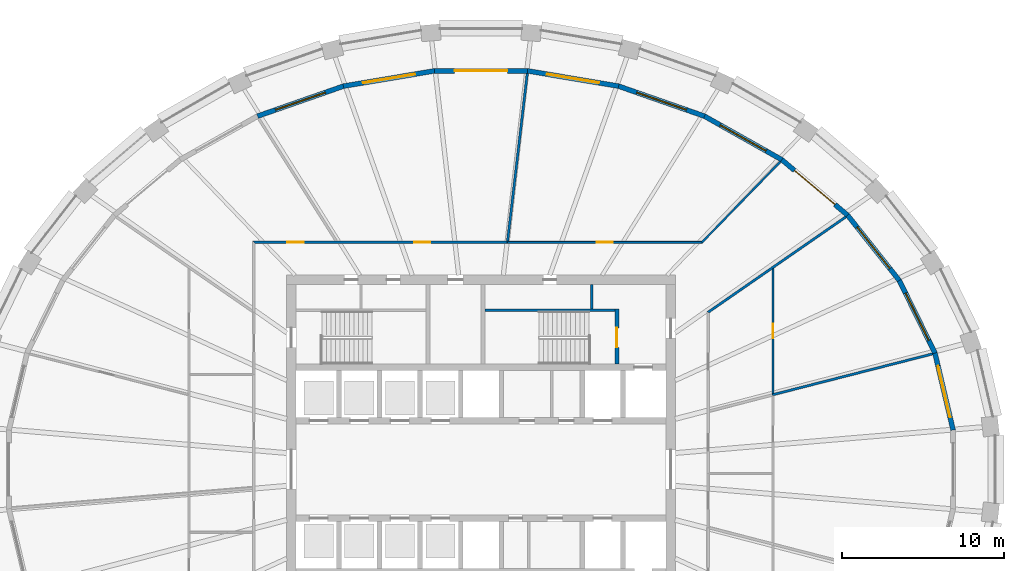
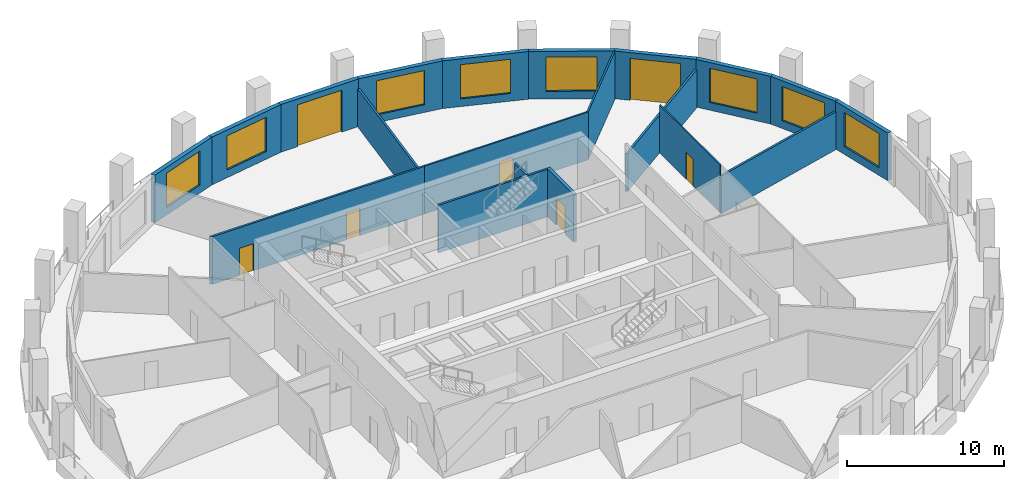
# One storey, part 7 of 11: 20 walls, 8 windows, 7 doors, 15 openings.
"""IFC4 building model written with IfcOpenShell, lengths in metres."""

from ifc_helpers import new_model, si_unit, direction, frame, frame_2d, origin, place, context, subcontext, project, spatial, polyline, rectangle, outline, extrude, material, layer, layer_set, type_object, element, fill, save


model = new_model("IFC4")

# Units and contexts
model_context = context("Model", 3, precision=1e-05, world=origin(), true_north=direction((0.0, 1.0)))
body_context = subcontext(model_context, "Body", "Model", "MODEL_VIEW")
ifc_project = project(units=[si_unit("LENGTHUNIT", "METRE"), si_unit("AREAUNIT", "SQUARE_METRE"), si_unit("VOLUMEUNIT", "CUBIC_METRE"), si_unit("PLANEANGLEUNIT", "RADIAN"), si_unit("MASSUNIT", "GRAM", prefix="KILO")], contexts=[model_context])

# Site, building, storey
site_placement = place(None, origin())
site = spatial("IfcSite", under=ifc_project, at=site_placement, CompositionType="ELEMENT")
building_placement = place(site_placement, origin())
building = spatial("IfcBuilding", under=site, at=building_placement, Name="Halqa Exchange Tower", CompositionType="ELEMENT")
storey_placement = place(building_placement, frame((0.0, 0.0, 222.89990234375)))
storey = spatial("IfcBuildingStorey", under=building, at=storey_placement, Name="L51", CompositionType="ELEMENT", Elevation=222.89990234375)

# Wall, openings, doors
ifc_material_1 = material(Name="Fire-rated gypsum board")
ifc_layer_1 = layer(ifc_material_1, 0.14990234375)
ifc_layer_set_1 = layer_set([ifc_layer_1], Name="Fire-rated gypsum board")
wall_type_1 = type_object("IfcWallType", Name="Fire partition EI 60 150", PredefinedType="PARTITIONING", material=ifc_layer_set_1)
wall_1_placement = place(storey_placement, frame((-14.074951171875, 14.0, 0.0), z_axis=(0.0, 0.0, 1.0), x_axis=(1.0, 0.0, 0.0)))
wall_1 = element("IfcWall", 1, at=wall_1_placement, inside=storey, type_object=wall_type_1, Name="L51-PWL-016", PredefinedType="PARTITIONING", context=body_context, shape_type="SweptSolid", body=[
    extrude(outline(polyline([(15.704833984375, 0.074951171875), (13.74169921875, 0.074951171875), (11.778564453125, 0.074951171875), (9.8154296875, 0.074951171875), (7.8525390625, 0.074951171875), (5.889404296875, 0.074951171875), (3.92626953125, 0.074951171875), (1.963134765625, 0.074951171875), (0.0, 0.074951171875), (0.14990234375, -0.074951171875), (2.09423828125, -0.074951171875), (4.03857421875, -0.074951171875), (5.98291015625, -0.074951171875), (7.92724609375, -0.074951171875), (9.871826171875, -0.074951171875), (11.816162109375, -0.074951171875), (13.760498046875, -0.074951171875), (15.704833984375, -0.074951171875), (15.704833984375, 0.074951171875)])), origin(), (0.0, 0.0, 1.0), 3.7001953125),
])
opening_1_placement = place(wall_1_placement, frame((9.955078125, 0.0, 0.0)))
opening_1 = element("IfcOpeningElement", 2, at=opening_1_placement, cuts=wall_1, Name="Opening 15-02", PredefinedType="OPENING", context=body_context, shape_type="SweptSolid", body=[
    extrude(rectangle(XDim=1.0, YDim=2.10009765625, at=frame_2d((0.5, 1.050048828125))), frame((0.0, 0.0869140625, 0.0), z_axis=(0.0, -1.0, 0.0), x_axis=(1.0, 0.0, 0.0)), (0.0, 0.0, 1.0), 0.173828125),
])
opening_2_placement = place(wall_1_placement, frame((2.139892578125, 0.0, 0.0)))
opening_2 = element("IfcOpeningElement", 3, at=opening_2_placement, cuts=wall_1, Name="Opening 15-03", PredefinedType="OPENING", context=body_context, shape_type="SweptSolid", body=[
    extrude(rectangle(XDim=1.0, YDim=2.10009765625, at=frame_2d((0.5, 1.050048828125))), frame((0.0, 0.0869140625, 0.0), z_axis=(0.0, -1.0, 0.0), x_axis=(1.0, 0.0, 0.0)), (0.0, 0.0, 1.0), 0.173828125),
])
ifc_material_2 = material(Name="Steel fire door leaf", Category="steel")
door_type_1 = type_object("IfcDoorType", Name="Fire door FD30S 1000 x 2100", OperationType="SINGLE_SWING_LEFT", PredefinedType="DOOR", material=ifc_material_2)
door_1_placement = place(opening_1_placement, origin())
door_1 = element("IfcDoor", 4, at=door_1_placement, inside=storey, type_object=door_type_1, Name="L51-IDR-002", OperationType="SINGLE_SWING_RIGHT", OverallHeight=2.10009765625, OverallWidth=1.0, PredefinedType="DOOR", context=body_context, shape_type="SweptSolid", body=[
    extrude(rectangle(XDim=1.0, YDim=2.10009765625, at=frame_2d((0.5, 1.050048828125))), frame((0.0, 0.02490234375, 0.0), z_axis=(0.0, -1.0, 0.0), x_axis=(1.0, 0.0, 0.0)), (0.0, 0.0, 1.0), 0.050048828125),
])
fill(opening_1, door_1)
door_2_placement = place(opening_2_placement, origin())
door_2 = element("IfcDoor", 5, at=door_2_placement, inside=storey, type_object=door_type_1, Name="L51-IDR-003", OperationType="SINGLE_SWING_LEFT", OverallHeight=2.10009765625, OverallWidth=1.0, PredefinedType="DOOR", context=body_context, shape_type="SweptSolid", body=[
    extrude(rectangle(XDim=1.0, YDim=2.10009765625, at=frame_2d((0.5, 1.050048828125))), frame((0.0, 0.02490234375, 0.0), z_axis=(0.0, -1.0, 0.0), x_axis=(1.0, 0.0, 0.0)), (0.0, 0.0, 1.0), 0.050048828125),
])
fill(opening_2, door_2)

# Walls
wall_2_placement = place(storey_placement, frame((1.6376953125, 14.06640625, 0.0), z_axis=(0.0, 0.0, 1.0), x_axis=(0.116747450487, 0.993161634783, 0.0)))
element("IfcWall", 6, at=wall_2_placement, inside=storey, type_object=wall_type_1, Name="L51-PWL-020", PredefinedType="PARTITIONING", context=body_context, shape_type="SweptSolid", body=[
    extrude(outline(polyline([(10.42041015625, -0.074951171875), (10.42041015625, 0.038818359375), (10.416259765625, 0.074951171875), (8.68017578125, 0.074951171875), (6.944091796875, 0.074951171875), (5.2080078125, 0.074951171875), (3.47216796875, 0.074951171875), (1.736083984375, 0.074951171875), (0.0, 0.074951171875), (0.0, 0.07373046875), (0.007568359375, 0.008544921875), (0.0, 0.0078125), (0.0, -0.054931640625), (0.00244140625, -0.074951171875), (1.73876953125, -0.074951171875), (3.47509765625, -0.074951171875), (5.21142578125, -0.074951171875), (6.94775390625, -0.074951171875), (8.68408203125, -0.074951171875), (10.42041015625, -0.074951171875)])), origin(), (0.0, 0.0, 1.0), 2.947021484375),
])
wall_3_placement = place(storey_placement, frame((13.9677734375, 9.66748046875, 0.0), z_axis=(0.0, 0.0, 1.0), x_axis=(0.822219313141, 0.56917080134, 0.0)))
element("IfcWall", 7, at=wall_3_placement, inside=storey, type_object=wall_type_1, Name="L51-PWL-033", PredefinedType="PARTITIONING", context=body_context, shape_type="SweptSolid", body=[
    extrude(outline(polyline([(0.07861328125, -0.074951171875), (1.649658203125, -0.074951171875), (3.220458984375, -0.074951171875), (4.791259765625, -0.074951171875), (4.79248046875, -0.0732421875), (4.794921875, -0.074951171875), (6.653076171875, -0.074951171875), (8.511474609375, -0.074951171875), (10.36962890625, -0.074951171875), (10.36962890625, -0.066162109375), (10.365234375, -0.000244140625), (10.344970703125, 0.074951171875), (8.620849609375, 0.074951171875), (6.896728515625, 0.074951171875), (5.172607421875, 0.074951171875), (3.448486328125, 0.074951171875), (1.724365234375, 0.074951171875), (0.000244140625, 0.074951171875), (0.039306640625, 0.000244140625), (0.07861328125, -0.074951171875)])), origin(), (0.0, 0.0, 1.0), 2.947021484375),
])
wall_4_placement = place(storey_placement, frame((17.95166015625, 4.59765625, 0.0), z_axis=(0.0, 0.0, 1.0), x_axis=(0.968895869382, 0.247468774381, 0.0)))
element("IfcWall", 8, at=wall_4_placement, inside=storey, type_object=wall_type_1, Name="L51-PWL-037", PredefinedType="PARTITIONING", context=body_context, shape_type="SweptSolid", body=[
    extrude(outline(polyline([(10.205810546875, -0.074951171875), (10.205810546875, 0.0078125), (10.191650390625, 0.074951171875), (8.51318359375, 0.074951171875), (6.834716796875, 0.074951171875), (5.15625, 0.074951171875), (3.477783203125, 0.074951171875), (1.799072265625, 0.074951171875), (0.12060546875, 0.074951171875), (0.12060546875, 0.07470703125), (0.1201171875, 0.074951171875), (0.0, 0.074951171875), (0.0, -0.054443359375), (0.08056640625, -0.074951171875), (1.768310546875, -0.074951171875), (3.455810546875, -0.074951171875), (5.143310546875, -0.074951171875), (6.830810546875, -0.074951171875), (8.518310546875, -0.074951171875), (10.205810546875, -0.074951171875)])), origin(), (0.0, 0.0, 1.0), 2.93017578125),
])

# Wall, opening, door
ifc_material_3 = material(Name="Fire-rated glazing", Category="glass")
ifc_layer_2 = layer(ifc_material_3, 0.1201171875)
ifc_layer_set_2 = layer_set([ifc_layer_2], Name="Fire-rated glazing")
wall_type_2 = type_object("IfcWallType", Name="Glazed fire partition EI 60 120", PredefinedType="PARTITIONING", material=ifc_layer_set_2)
wall_5_placement = place(storey_placement, frame((1.6298828125, 14.0, 0.0), z_axis=(0.0, 0.0, 1.0), x_axis=(1.0, 0.0, 0.0)))
wall_5 = element("IfcWall", 9, at=wall_5_placement, inside=storey, type_object=wall_type_2, Name="L51-PWL-021", PredefinedType="PARTITIONING", context=body_context, shape_type="SweptSolid", body=[
    extrude(outline(polyline([(12.015380859375, -0.06005859375), (12.015380859375, -0.059814453125), (11.96484375, 0.06005859375), (9.970703125, 0.06005859375), (7.9765625, 0.06005859375), (5.982421875, 0.06005859375), (3.98828125, 0.06005859375), (1.994140625, 0.06005859375), (0.0, 0.06005859375), (0.0, -0.06005859375), (1.716552734375, -0.06005859375), (3.432861328125, -0.06005859375), (5.1494140625, -0.06005859375), (6.865966796875, -0.06005859375), (8.58251953125, -0.06005859375), (10.298828125, -0.06005859375), (12.015380859375, -0.06005859375)])), origin(), (0.0, 0.0, 1.0), 3.7001953125),
])
opening_3_placement = place(wall_5_placement, frame((5.4951171875, 0.0, 0.0)))
opening_3 = element("IfcOpeningElement", 10, at=opening_3_placement, cuts=wall_5, Name="Opening 15-01", PredefinedType="OPENING", context=body_context, shape_type="SweptSolid", body=[
    extrude(rectangle(XDim=1.0, YDim=2.10009765625, at=frame_2d((0.5, 1.050048828125))), frame((0.0, 0.072021484375, 0.0), z_axis=(0.0, -1.0, 0.0), x_axis=(1.0, 0.0, 0.0)), (0.0, 0.0, 1.0), 0.14404296875),
])
door_3_placement = place(opening_3_placement, origin())
door_3 = element("IfcDoor", 11, at=door_3_placement, inside=storey, type_object=door_type_1, Name="L51-IDR-001", OperationType="SINGLE_SWING_RIGHT", OverallHeight=2.10009765625, OverallWidth=1.0, PredefinedType="DOOR", context=body_context, shape_type="SweptSolid", body=[
    extrude(rectangle(XDim=1.0, YDim=2.10009765625, at=frame_2d((0.5, 1.050048828125))), frame((0.0, 0.02490234375, 0.0), z_axis=(0.0, -1.0, 0.0), x_axis=(1.0, 0.0, 0.0)), (0.0, 0.0, 1.0), 0.050048828125),
])
fill(opening_3, door_3)

# Wall
wall_6_placement = place(storey_placement, frame((13.602294921875, 13.981689453125, 0.0), z_axis=(0.0, 0.0, 1.0), x_axis=(0.697346685185, 0.716733981797, 0.0)))
element("IfcWall", 12, at=wall_6_placement, inside=storey, type_object=wall_type_2, Name="L51-PWL-025", PredefinedType="PARTITIONING", context=body_context, shape_type="SweptSolid", body=[
    extrude(outline(polyline([(6.9638671875, -0.06005859375), (6.9638671875, -0.0576171875), (6.9599609375, -0.00244140625), (6.943359375, 0.06005859375), (5.22021484375, 0.06005859375), (3.4970703125, 0.06005859375), (1.77392578125, 0.06005859375), (0.05078125, 0.06005859375), (0.05078125, 0.06005859375), (0.025390625, 0.0), (0.0, -0.06005859375), (1.740966796875, -0.06005859375), (3.48193359375, -0.06005859375), (5.222900390625, -0.06005859375), (6.9638671875, -0.06005859375)])), origin(), (0.0, 0.0, 1.0), 3.7001953125),
])

# Wall, opening, door
ifc_material_4 = material(Name="Gypsum board")
ifc_layer_3 = layer(ifc_material_4, 0.10009765625)
ifc_layer_set_3 = layer_set([ifc_layer_3], Name="Gypsum board")
wall_type_3 = type_object("IfcWallType", Name="Partition 100 gypsum", PredefinedType="PARTITIONING", material=ifc_layer_set_3)
wall_7_placement = place(storey_placement, frame((18.0, 12.402099609375, 0.0), z_axis=(0.0, 0.0, 1.0), x_axis=(0.0, -1.0, 0.0)))
wall_7 = element("IfcWall", 13, at=wall_7_placement, inside=storey, type_object=wall_type_3, Name="L51-PWL-038", PredefinedType="PARTITIONING", context=body_context, shape_type="SweptSolid", body=[
    extrude(outline(polyline([(7.72705078125, -0.050048828125), (7.72705078125, -0.04833984375), (7.701904296875, 0.050048828125), (5.7763671875, 0.050048828125), (3.850830078125, 0.050048828125), (1.925537109375, 0.050048828125), (0.0, 0.050048828125), (0.0, 0.0498046875), (0.069091796875, -0.050048828125), (1.983642578125, -0.050048828125), (3.89794921875, -0.050048828125), (5.8125, -0.050048828125), (7.72705078125, -0.050048828125)])), origin(), (0.0, 0.0, 1.0), 3.7001953125),
])
opening_4_placement = place(wall_7_placement, frame((3.4169921875, 0.0, 0.0)))
opening_4 = element("IfcOpeningElement", 14, at=opening_4_placement, cuts=wall_7, Name="Opening 15-22", PredefinedType="OPENING", context=body_context, shape_type="SweptSolid", body=[
    extrude(rectangle(XDim=0.89990234375, YDim=2.10009765625, at=frame_2d((0.449951171875, 1.050048828125))), frame((0.0, 0.06201171875, 0.0), z_axis=(0.0, -1.0, 0.0), x_axis=(1.0, 0.0, 0.0)), (0.0, 0.0, 1.0), 0.1240234375),
])
ifc_material_5 = material(Name="Timber door leaf", Category="wood")
door_type_2 = type_object("IfcDoorType", Name="Door 900 x 2100", OperationType="SINGLE_SWING_LEFT", PredefinedType="DOOR", material=ifc_material_5)
door_4_placement = place(opening_4_placement, frame((0.89990234375, 0.0, 0.0), z_axis=(0.0, 0.0, 1.0), x_axis=(-1.0, 0.0, 0.0)))
door_4 = element("IfcDoor", 15, at=door_4_placement, inside=storey, type_object=door_type_2, Name="L51-IDR-022", OperationType="SINGLE_SWING_LEFT", OverallHeight=2.10009765625, OverallWidth=0.89990234375, PredefinedType="DOOR", context=body_context, shape_type="SweptSolid", body=[
    extrude(rectangle(XDim=0.89990234375, YDim=2.10009765625, at=frame_2d((0.449951171875, 1.050048828125))), frame((0.0, 0.02490234375, 0.0), z_axis=(0.0, -1.0, 0.0), x_axis=(1.0, 0.0, 0.0)), (0.0, 0.0, 1.0), 0.050048828125),
])
fill(opening_4, door_4)

# Walls
ifc_layer_4 = layer(ifc_material_4, 0.14990234375)
ifc_layer_set_4 = layer_set([ifc_layer_4], Name="Gypsum board")
wall_type_4 = type_object("IfcWallType", Name="Penthouse riser wall 150 gypsum", PredefinedType="PARTITIONING", material=ifc_layer_set_4)
wall_8_placement = place(storey_placement, frame((6.824951171875, 9.89990234375, 0.0), z_axis=(0.0, 0.0, 1.0), x_axis=(0.0, 1.0, 0.0)))
element("IfcWall", 16, at=wall_8_placement, inside=storey, type_object=wall_type_4, Name="Firefighting lobby west wall N", PredefinedType="PARTITIONING", context=body_context, shape_type="SweptSolid", body=[
    extrude(rectangle(XDim=1.5, YDim=0.14990234375, at=frame_2d((0.75, 0.0))), origin(), (0.0, 0.0, 1.0), 3.7001953125),
])
ifc_material_6 = material(Name="Concrete C30/37", Category="concrete")
ifc_layer_5 = layer(ifc_material_6, 0.14990234375)
ifc_layer_set_5 = layer_set([ifc_layer_5], Name="Concrete C30/37")
wall_type_5 = type_object("IfcWallType", Name="RC stair wall 150 C30/37", PredefinedType="SHEAR", material=ifc_layer_set_5)
wall_9_placement = place(storey_placement, frame((0.25, 9.824951171875, 0.0), z_axis=(0.0, 0.0, 1.0), x_axis=(1.0, 0.0, 0.0)))
element("IfcWall", 17, at=wall_9_placement, inside=storey, type_object=wall_type_5, Name="Stair ST2 north wall N", PredefinedType="SHEAR", context=body_context, shape_type="SweptSolid", body=[
    extrude(rectangle(XDim=8.0, YDim=0.14990234375, at=frame_2d((4.0, 0.0))), origin(), (0.0, 0.0, 1.0), 3.7001953125),
])

# Wall, opening, door
ifc_layer_6 = layer(ifc_material_6, 0.25)
ifc_layer_set_6 = layer_set([ifc_layer_6], Name="Concrete C30/37")
wall_type_6 = type_object("IfcWallType", Name="RC stair wall 250 C30/37", PredefinedType="SHEAR", material=ifc_layer_set_6)
wall_10_placement = place(storey_placement, frame((8.375, 6.5, 0.0), z_axis=(0.0, 0.0, 1.0), x_axis=(0.0, 1.0, 0.0)))
wall_10 = element("IfcWall", 18, at=wall_10_placement, inside=storey, type_object=wall_type_6, Name="Stair ST2 east wall N", PredefinedType="SHEAR", context=body_context, shape_type="SweptSolid", body=[
    extrude(rectangle(XDim=3.39990234375, YDim=0.25, at=frame_2d((1.699951171875, 0.0))), origin(), (0.0, 0.0, 1.0), 3.7001953125),
])
opening_5_placement = place(wall_10_placement, frame((1.02490234375, 0.0, 0.0)))
opening_5 = element("IfcOpeningElement", 19, at=opening_5_placement, cuts=wall_10, Name="Opening T15-C16", PredefinedType="OPENING", context=body_context, shape_type="SweptSolid", body=[
    extrude(rectangle(XDim=1.199951171875, YDim=2.10009765625, at=frame_2d((0.60009765625, 1.050048828125))), frame((0.0, 0.136962890625, 0.0), z_axis=(0.0, -1.0, 0.0), x_axis=(1.0, 0.0, 0.0)), (0.0, 0.0, 1.0), 0.27392578125),
])
door_type_3 = type_object("IfcDoorType", Name="Stair door FD90 1200 x 2100", OperationType="SINGLE_SWING_LEFT", PredefinedType="DOOR", material=ifc_material_2)
door_5_placement = place(opening_5_placement, origin())
door_5 = element("IfcDoor", 20, at=door_5_placement, inside=storey, type_object=door_type_3, Name="Stair door ST2", OperationType="SINGLE_SWING_LEFT", OverallHeight=2.10009765625, OverallWidth=1.199951171875, PredefinedType="DOOR", context=body_context, shape_type="SweptSolid", body=[
    extrude(rectangle(XDim=1.199951171875, YDim=2.10009765625, at=frame_2d((0.60009765625, 1.050048828125))), frame((0.0, 0.02490234375, 0.0), z_axis=(0.0, -1.0, 0.0), x_axis=(1.0, 0.0, 0.0)), (0.0, 0.0, 1.0), 0.050048828125),
])
fill(opening_5, door_5)

# Wall, opening, window
ifc_material_7 = material(Name="Limestone cladding", Category="masonry")
ifc_layer_7 = layer(ifc_material_7, 0.0400390625)
ifc_material_8 = material(Name="Ventilated cavity")
ifc_layer_8 = layer(ifc_material_8, 0.030029296875, ventilated=True)
ifc_material_9 = material(Name="Mineral wool insulation")
ifc_layer_9 = layer(ifc_material_9, 0.10009765625)
ifc_layer_10 = layer(ifc_material_6, 0.10009765625)
ifc_material_10 = material(Name="Internal plaster")
ifc_layer_11 = layer(ifc_material_10, 0.030029296875)
ifc_layer_set_7 = layer_set([ifc_layer_7, ifc_layer_8, ifc_layer_9, ifc_layer_10, ifc_layer_11], Name="Stone-faced insulated wall 300")
wall_type_7 = type_object("IfcWallType", Name="Stone-faced insulated wall 300", PredefinedType="STANDARD", material=ifc_layer_set_7)
wall_11_placement = place(storey_placement, frame((29.1044921875, 2.422607421875, 0.0), z_axis=(0.0, 0.0, 1.0), x_axis=(-0.229546618766, 0.97329766763, 0.0)))
wall_11 = element("IfcWall", 21, at=wall_11_placement, inside=storey, type_object=wall_type_7, Name="Glass-line wall 1", PredefinedType="STANDARD", context=body_context, shape_type="SweptSolid", body=[
    extrude(outline(polyline([(-0.017333984375, -0.14990234375), (4.898681640625, -0.14990234375), (4.864990234375, 0.14990234375), (0.017333984375, 0.14990234375), (-0.017333984375, -0.14990234375)])), origin(), (0.0, 0.0, 1.0), 3.7001953125),
])
opening_6_placement = place(wall_11_placement, frame((0.81591796875, 0.0, 0.60009765625)))
opening_6 = element("IfcOpeningElement", 22, at=opening_6_placement, cuts=wall_11, Name="Opening W-F3-01", PredefinedType="OPENING", context=body_context, shape_type="SweptSolid", body=[
    extrude(rectangle(XDim=3.25, YDim=2.64990234375, at=frame_2d((1.625, 1.324951171875))), frame((0.0, 0.162109375, 0.0), z_axis=(0.0, -1.0, 0.0), x_axis=(1.0, 0.0, 0.0)), (0.0, 0.0, 1.0), 0.323974609375),
])
ifc_material_11 = material(Name="Clear low-emissivity glass in aluminium frame", Category="aluminium")
window_type = type_object("IfcWindowType", Name="Fixed clear glazed window 3250 x 2650", PartitioningType="TRIPLE_PANEL_VERTICAL", PredefinedType="WINDOW", material=ifc_material_11)
window_1_placement = place(opening_6_placement, origin())
window_1 = element("IfcWindow", 23, at=window_1_placement, inside=storey, type_object=window_type, Name="Window 3", OverallHeight=2.64990234375, OverallWidth=3.25, PartitioningType="TRIPLE_PANEL_VERTICAL", PredefinedType="WINDOW", context=body_context, shape_type="SweptSolid", body=[
    extrude(rectangle(XDim=3.25, YDim=2.64990234375, at=frame_2d((1.625, 1.324951171875))), frame((0.0, 0.030029296875, 0.0), z_axis=(0.0, -1.0, 0.0), x_axis=(1.0, 0.0, 0.0)), (0.0, 0.0, 1.0), 0.06005859375),
])
fill(opening_6, window_1)

wall_12_placement = place(storey_placement, frame((27.98388671875, 7.174072265625, 0.0), z_axis=(0.0, 0.0, 1.0), x_axis=(-0.440795186599, 0.897607711348, 0.0)))
wall_12 = element("IfcWall", 24, at=wall_12_placement, inside=storey, type_object=wall_type_7, Name="Glass-line wall 2", PredefinedType="STANDARD", context=body_context, shape_type="SweptSolid", body=[
    extrude(outline(polyline([(-0.016845703125, -0.14990234375), (5.000244140625, -0.14990234375), (4.968017578125, 0.14990234375), (0.016845703125, 0.14990234375), (-0.016845703125, -0.14990234375)])), origin(), (0.0, 0.0, 1.0), 3.7001953125),
])
opening_7_placement = place(wall_12_placement, frame((0.8671875, 0.0, 0.60009765625)))
opening_7 = element("IfcOpeningElement", 25, at=opening_7_placement, cuts=wall_12, Name="Opening W-F3-02", PredefinedType="OPENING", context=body_context, shape_type="SweptSolid", body=[
    extrude(rectangle(XDim=3.25, YDim=2.64990234375, at=frame_2d((1.625, 1.324951171875))), frame((0.0, 0.162109375, 0.0), z_axis=(0.0, -1.0, 0.0), x_axis=(1.0, 0.0, 0.0)), (0.0, 0.0, 1.0), 0.323974609375),
])
window_2_placement = place(opening_7_placement, origin())
window_2 = element("IfcWindow", 26, at=window_2_placement, inside=storey, type_object=window_type, Name="Window 3", OverallHeight=2.64990234375, OverallWidth=3.25, PartitioningType="TRIPLE_PANEL_VERTICAL", PredefinedType="WINDOW", context=body_context, shape_type="SweptSolid", body=[
    extrude(rectangle(XDim=3.25, YDim=2.64990234375, at=frame_2d((1.625, 1.324951171875))), frame((0.0, 0.030029296875, 0.0), z_axis=(0.0, -1.0, 0.0), x_axis=(1.0, 0.0, 0.0)), (0.0, 0.0, 1.0), 0.06005859375),
])
fill(opening_7, window_2)

wall_13_placement = place(storey_placement, frame((25.786865234375, 11.64794921875, 0.0), z_axis=(0.0, 0.0, 1.0), x_axis=(-0.621017151557, 0.783796974651, 0.0)))
wall_13 = element("IfcWall", 27, at=wall_13_placement, inside=storey, type_object=wall_type_7, Name="Glass-line wall 3", PredefinedType="STANDARD", context=body_context, shape_type="SweptSolid", body=[
    extrude(outline(polyline([(-0.01611328125, -0.14990234375), (5.14892578125, -0.14990234375), (5.11865234375, 0.14990234375), (0.01611328125, 0.14990234375), (-0.01611328125, -0.14990234375)])), origin(), (0.0, 0.0, 1.0), 3.7001953125),
])
opening_8_placement = place(wall_13_placement, frame((0.94189453125, 0.0, 0.60009765625)))
opening_8 = element("IfcOpeningElement", 28, at=opening_8_placement, cuts=wall_13, Name="Opening W-F3-03", PredefinedType="OPENING", context=body_context, shape_type="SweptSolid", body=[
    extrude(rectangle(XDim=3.25, YDim=2.64990234375, at=frame_2d((1.625, 1.324951171875))), frame((0.0, 0.162109375, 0.0), z_axis=(0.0, -1.0, 0.0), x_axis=(1.0, 0.0, 0.0)), (0.0, 0.0, 1.0), 0.323974609375),
])
window_3_placement = place(opening_8_placement, origin())
window_3 = element("IfcWindow", 29, at=window_3_placement, inside=storey, type_object=window_type, Name="Window 3", OverallHeight=2.64990234375, OverallWidth=3.25, PartitioningType="TRIPLE_PANEL_VERTICAL", PredefinedType="WINDOW", context=body_context, shape_type="SweptSolid", body=[
    extrude(rectangle(XDim=3.25, YDim=2.64990234375, at=frame_2d((1.625, 1.324951171875))), frame((0.0, 0.030029296875, 0.0), z_axis=(0.0, -1.0, 0.0), x_axis=(1.0, 0.0, 0.0)), (0.0, 0.0, 1.0), 0.06005859375),
])
fill(opening_8, window_3)

# Wall, opening, door
wall_14_placement = place(storey_placement, frame((22.5986328125, 15.671875, 0.0), z_axis=(0.0, 0.0, 1.0), x_axis=(-0.764397795062, 0.644744919255, 0.0)))
wall_14 = element("IfcWall", 30, at=wall_14_placement, inside=storey, type_object=wall_type_7, Name="Glass-line wall 4", PredefinedType="STANDARD", context=body_context, shape_type="SweptSolid", body=[
    extrude(outline(polyline([(-0.01513671875, -0.14990234375), (5.3193359375, -0.14990234375), (5.291015625, 0.14990234375), (0.01513671875, 0.14990234375), (-0.01513671875, -0.14990234375)])), origin(), (0.0, 0.0, 1.0), 3.7001953125),
])
opening_9_placement = place(wall_14_placement, frame((1.027587890625, 0.0, 0.0)))
opening_9 = element("IfcOpeningElement", 31, at=opening_9_placement, cuts=wall_14, Name="Opening LG-F3-01", PredefinedType="OPENING", context=body_context, shape_type="SweptSolid", body=[
    extrude(rectangle(XDim=3.25, YDim=3.25, at=frame_2d((1.625, 1.625))), frame((0.0, 0.162109375, 0.0), z_axis=(0.0, -1.0, 0.0), x_axis=(1.0, 0.0, 0.0)), (0.0, 0.0, 1.0), 0.323974609375),
])
door_type_4 = type_object("IfcDoorType", Name="Glazed sliding loggia door 3250 x 3250", OperationType="DOUBLE_DOOR_SLIDING", PredefinedType="DOOR", material=ifc_material_11)
door_6_placement = place(opening_9_placement, origin())
door_6 = element("IfcDoor", 32, at=door_6_placement, inside=storey, type_object=door_type_4, Name="Loggia door 1", OperationType="DOUBLE_DOOR_SLIDING", OverallHeight=3.25, OverallWidth=3.25, PredefinedType="DOOR", context=body_context, shape_type="SweptSolid", body=[
    extrude(rectangle(XDim=3.25, YDim=3.25, at=frame_2d((1.625, 1.625))), frame((0.0, 0.02490234375, 0.0), z_axis=(0.0, -1.0, 0.0), x_axis=(1.0, 0.0, 0.0)), (0.0, 0.0, 1.0), 0.050048828125),
])
fill(opening_9, door_6)

# Wall, opening, window
wall_15_placement = place(storey_placement, frame((18.54345703125, 19.09228515625, 0.0), z_axis=(0.0, 0.0, 1.0), x_axis=(-0.871207038577, 0.490915772749, 0.0)))
wall_15 = element("IfcWall", 33, at=wall_15_placement, inside=storey, type_object=wall_type_7, Name="Glass-line wall 5", PredefinedType="STANDARD", context=body_context, shape_type="SweptSolid", body=[
    extrude(outline(polyline([(-0.01416015625, -0.14990234375), (5.484375, -0.14990234375), (5.45751953125, 0.14990234375), (0.01416015625, 0.14990234375), (-0.01416015625, -0.14990234375)])), origin(), (0.0, 0.0, 1.0), 3.7001953125),
])
opening_10_placement = place(wall_15_placement, frame((1.110595703125, 0.0, 0.60009765625)))
opening_10 = element("IfcOpeningElement", 34, at=opening_10_placement, cuts=wall_15, Name="Opening W-F3-05", PredefinedType="OPENING", context=body_context, shape_type="SweptSolid", body=[
    extrude(rectangle(XDim=3.25, YDim=2.64990234375, at=frame_2d((1.625, 1.324951171875))), frame((0.0, 0.162109375, 0.0), z_axis=(0.0, -1.0, 0.0), x_axis=(1.0, 0.0, 0.0)), (0.0, 0.0, 1.0), 0.323974609375),
])
window_4_placement = place(opening_10_placement, origin())
window_4 = element("IfcWindow", 35, at=window_4_placement, inside=storey, type_object=window_type, Name="Window 3", OverallHeight=2.64990234375, OverallWidth=3.25, PartitioningType="TRIPLE_PANEL_VERTICAL", PredefinedType="WINDOW", context=body_context, shape_type="SweptSolid", body=[
    extrude(rectangle(XDim=3.25, YDim=2.64990234375, at=frame_2d((1.625, 1.324951171875))), frame((0.0, 0.030029296875, 0.0), z_axis=(0.0, -1.0, 0.0), x_axis=(1.0, 0.0, 0.0)), (0.0, 0.0, 1.0), 0.06005859375),
])
fill(opening_10, window_4)

wall_16_placement = place(storey_placement, frame((13.777099609375, 21.778076171875, 0.0), z_axis=(0.0, 0.0, 1.0), x_axis=(-0.944053670735, 0.329791853708, 0.0)))
wall_16 = element("IfcWall", 36, at=wall_16_placement, inside=storey, type_object=wall_type_7, Name="Glass-line wall 6", PredefinedType="STANDARD", context=body_context, shape_type="SweptSolid", body=[
    extrude(outline(polyline([(-0.013427734375, -0.14990234375), (5.620361328125, -0.14990234375), (5.594970703125, 0.14990234375), (0.013427734375, 0.14990234375), (-0.013427734375, -0.14990234375)])), origin(), (0.0, 0.0, 1.0), 3.7001953125),
])
opening_11_placement = place(wall_16_placement, frame((1.178955078125, 0.0, 0.60009765625)))
opening_11 = element("IfcOpeningElement", 37, at=opening_11_placement, cuts=wall_16, Name="Opening W-F3-06", PredefinedType="OPENING", context=body_context, shape_type="SweptSolid", body=[
    extrude(rectangle(XDim=3.25, YDim=2.64990234375, at=frame_2d((1.625, 1.324951171875))), frame((0.0, 0.162109375, 0.0), z_axis=(0.0, -1.0, 0.0), x_axis=(1.0, 0.0, 0.0)), (0.0, 0.0, 1.0), 0.323974609375),
])
window_5_placement = place(opening_11_placement, origin())
window_5 = element("IfcWindow", 38, at=window_5_placement, inside=storey, type_object=window_type, Name="Window 3", OverallHeight=2.64990234375, OverallWidth=3.25, PartitioningType="TRIPLE_PANEL_VERTICAL", PredefinedType="WINDOW", context=body_context, shape_type="SweptSolid", body=[
    extrude(rectangle(XDim=3.25, YDim=2.64990234375, at=frame_2d((1.625, 1.324951171875))), frame((0.0, 0.030029296875, 0.0), z_axis=(0.0, -1.0, 0.0), x_axis=(1.0, 0.0, 0.0)), (0.0, 0.0, 1.0), 0.06005859375),
])
fill(opening_11, window_5)

wall_17_placement = place(storey_placement, frame((8.483154296875, 23.62744140625, 0.0), z_axis=(0.0, 0.0, 1.0), x_axis=(-0.986218486863, 0.16544816762, 0.0)))
wall_17 = element("IfcWall", 39, at=wall_17_placement, inside=storey, type_object=wall_type_7, Name="Glass-line wall 7", PredefinedType="STANDARD", context=body_context, shape_type="SweptSolid", body=[
    extrude(outline(polyline([(-0.0126953125, -0.14990234375), (5.7099609375, -0.14990234375), (5.68505859375, 0.14990234375), (0.0126953125, 0.14990234375), (-0.0126953125, -0.14990234375)])), origin(), (0.0, 0.0, 1.0), 3.7001953125),
])
opening_12_placement = place(wall_17_placement, frame((1.2236328125, 0.0, 0.60009765625)))
opening_12 = element("IfcOpeningElement", 40, at=opening_12_placement, cuts=wall_17, Name="Opening W-F3-07", PredefinedType="OPENING", context=body_context, shape_type="SweptSolid", body=[
    extrude(rectangle(XDim=3.25, YDim=2.64990234375, at=frame_2d((1.625, 1.324951171875))), frame((0.0, 0.162109375, 0.0), z_axis=(0.0, -1.0, 0.0), x_axis=(1.0, 0.0, 0.0)), (0.0, 0.0, 1.0), 0.323974609375),
])
window_6_placement = place(opening_12_placement, origin())
window_6 = element("IfcWindow", 41, at=window_6_placement, inside=storey, type_object=window_type, Name="Window 3", OverallHeight=2.64990234375, OverallWidth=3.25, PartitioningType="TRIPLE_PANEL_VERTICAL", PredefinedType="WINDOW", context=body_context, shape_type="SweptSolid", body=[
    extrude(rectangle(XDim=3.25, YDim=2.64990234375, at=frame_2d((1.625, 1.324951171875))), frame((0.0, 0.030029296875, 0.0), z_axis=(0.0, -1.0, 0.0), x_axis=(1.0, 0.0, 0.0)), (0.0, 0.0, 1.0), 0.06005859375),
])
fill(opening_12, window_6)

# Wall, opening, door
wall_18_placement = place(storey_placement, frame((2.8642578125, 24.570068359375, 0.0), z_axis=(0.0, 0.0, 1.0), x_axis=(-1.0, 0.0, 0.0)))
wall_18 = element("IfcWall", 42, at=wall_18_placement, inside=storey, type_object=wall_type_7, Name="Glass-line wall 8", PredefinedType="STANDARD", context=body_context, shape_type="SweptSolid", body=[
    extrude(outline(polyline([(-0.012451171875, -0.14990234375), (5.740966796875, -0.14990234375), (5.716064453125, 0.14990234375), (0.012451171875, 0.14990234375), (-0.012451171875, -0.14990234375)])), origin(), (0.0, 0.0, 1.0), 3.7001953125),
])
opening_13_placement = place(wall_18_placement, frame((1.2392578125, 0.0, 0.0)))
opening_13 = element("IfcOpeningElement", 43, at=opening_13_placement, cuts=wall_18, Name="Opening LG-F3-02", PredefinedType="OPENING", context=body_context, shape_type="SweptSolid", body=[
    extrude(rectangle(XDim=3.25, YDim=3.25, at=frame_2d((1.625, 1.625))), frame((0.0, 0.162109375, 0.0), z_axis=(0.0, -1.0, 0.0), x_axis=(1.0, 0.0, 0.0)), (0.0, 0.0, 1.0), 0.323974609375),
])
door_7_placement = place(opening_13_placement, origin())
door_7 = element("IfcDoor", 44, at=door_7_placement, inside=storey, type_object=door_type_4, Name="Loggia door 2", OperationType="DOUBLE_DOOR_SLIDING", OverallHeight=3.25, OverallWidth=3.25, PredefinedType="DOOR", context=body_context, shape_type="SweptSolid", body=[
    extrude(rectangle(XDim=3.25, YDim=3.25, at=frame_2d((1.625, 1.625))), frame((0.0, 0.02490234375, 0.0), z_axis=(0.0, -1.0, 0.0), x_axis=(1.0, 0.0, 0.0)), (0.0, 0.0, 1.0), 0.050048828125),
])
fill(opening_13, door_7)

# Wall, opening, window
wall_19_placement = place(storey_placement, frame((-2.8642578125, 24.570068359375, 0.0), z_axis=(0.0, 0.0, 1.0), x_axis=(-0.986218486863, -0.16544816762, 0.0)))
wall_19 = element("IfcWall", 45, at=wall_19_placement, inside=storey, type_object=wall_type_7, Name="Glass-line wall 9", PredefinedType="STANDARD", context=body_context, shape_type="SweptSolid", body=[
    extrude(outline(polyline([(-0.012451171875, -0.14990234375), (5.710205078125, -0.14990234375), (5.684814453125, 0.14990234375), (0.012451171875, 0.14990234375), (-0.012451171875, -0.14990234375)])), origin(), (0.0, 0.0, 1.0), 3.7001953125),
])
opening_14_placement = place(wall_19_placement, frame((1.2236328125, 0.0, 0.60009765625)))
opening_14 = element("IfcOpeningElement", 46, at=opening_14_placement, cuts=wall_19, Name="Opening W-F3-09", PredefinedType="OPENING", context=body_context, shape_type="SweptSolid", body=[
    extrude(rectangle(XDim=3.25, YDim=2.64990234375, at=frame_2d((1.625, 1.324951171875))), frame((0.0, 0.162109375, 0.0), z_axis=(0.0, -1.0, 0.0), x_axis=(1.0, 0.0, 0.0)), (0.0, 0.0, 1.0), 0.323974609375),
])
window_7_placement = place(opening_14_placement, origin())
window_7 = element("IfcWindow", 47, at=window_7_placement, inside=storey, type_object=window_type, Name="Window 3", OverallHeight=2.64990234375, OverallWidth=3.25, PartitioningType="TRIPLE_PANEL_VERTICAL", PredefinedType="WINDOW", context=body_context, shape_type="SweptSolid", body=[
    extrude(rectangle(XDim=3.25, YDim=2.64990234375, at=frame_2d((1.625, 1.324951171875))), frame((0.0, 0.030029296875, 0.0), z_axis=(0.0, -1.0, 0.0), x_axis=(1.0, 0.0, 0.0)), (0.0, 0.0, 1.0), 0.06005859375),
])
fill(opening_14, window_7)

wall_20_placement = place(storey_placement, frame((-8.483154296875, 23.62744140625, 0.0), z_axis=(0.0, 0.0, 1.0), x_axis=(-0.944053670735, -0.329791853708, 0.0)))
wall_20 = element("IfcWall", 48, at=wall_20_placement, inside=storey, type_object=wall_type_7, Name="Glass-line wall 10", PredefinedType="STANDARD", context=body_context, shape_type="SweptSolid", body=[
    extrude(outline(polyline([(-0.0126953125, -0.14990234375), (5.62109375, -0.14990234375), (5.59423828125, 0.14990234375), (0.0126953125, 0.14990234375), (-0.0126953125, -0.14990234375)])), origin(), (0.0, 0.0, 1.0), 3.7001953125),
])
opening_15_placement = place(wall_20_placement, frame((1.178955078125, 0.0, 0.60009765625)))
opening_15 = element("IfcOpeningElement", 49, at=opening_15_placement, cuts=wall_20, Name="Opening W-F3-10", PredefinedType="OPENING", context=body_context, shape_type="SweptSolid", body=[
    extrude(rectangle(XDim=3.25, YDim=2.64990234375, at=frame_2d((1.625, 1.324951171875))), frame((0.0, 0.162109375, 0.0), z_axis=(0.0, -1.0, 0.0), x_axis=(1.0, 0.0, 0.0)), (0.0, 0.0, 1.0), 0.323974609375),
])
window_8_placement = place(opening_15_placement, origin())
window_8 = element("IfcWindow", 50, at=window_8_placement, inside=storey, type_object=window_type, Name="Window 3", OverallHeight=2.64990234375, OverallWidth=3.25, PartitioningType="TRIPLE_PANEL_VERTICAL", PredefinedType="WINDOW", context=body_context, shape_type="SweptSolid", body=[
    extrude(rectangle(XDim=3.25, YDim=2.64990234375, at=frame_2d((1.625, 1.324951171875))), frame((0.0, 0.030029296875, 0.0), z_axis=(0.0, -1.0, 0.0), x_axis=(1.0, 0.0, 0.0)), (0.0, 0.0, 1.0), 0.06005859375),
])
fill(opening_15, window_8)

save(model, "model.ifc")
